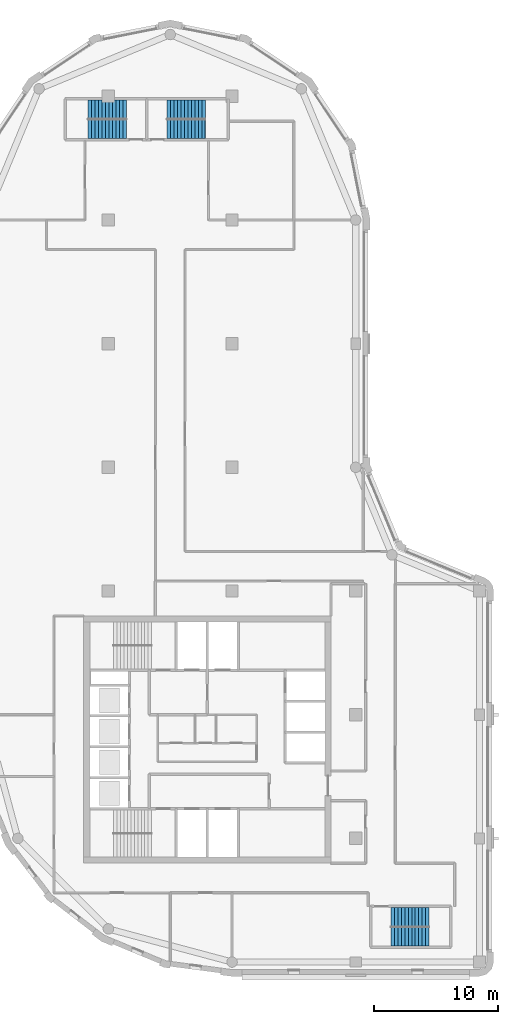
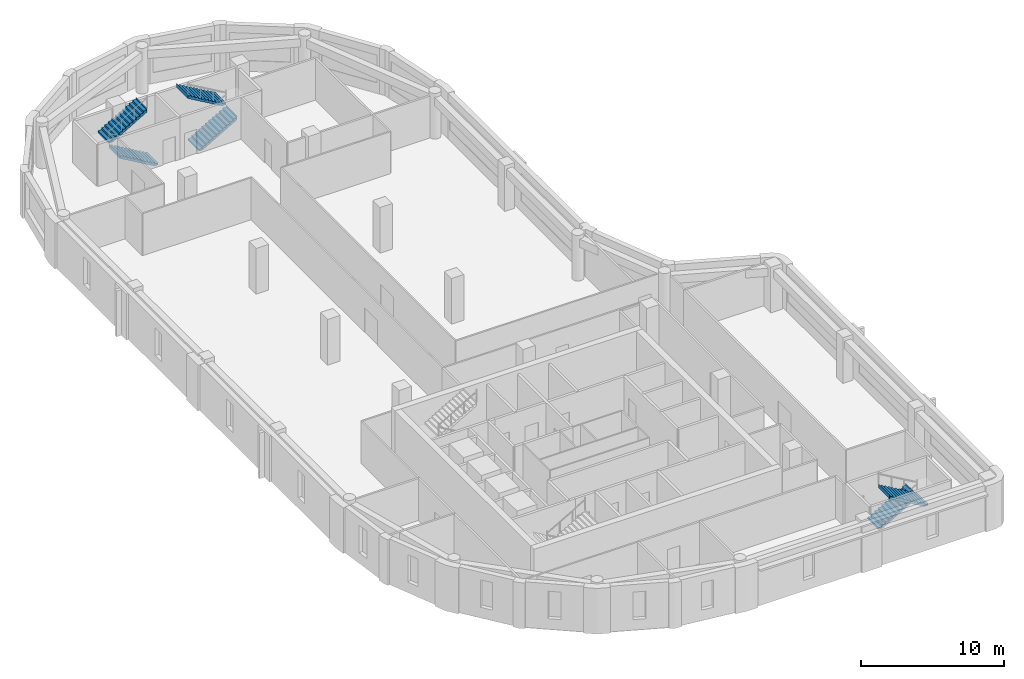
# One storey, part 6 of 8: 6 stair flights, 3 elements without a shape of their own.
"""IFC4 building model written with IfcOpenShell, lengths in metres."""

from ifc_helpers import new_model, si_unit, direction, frame, origin, place, context, subcontext, project, spatial, polyline, outline, extrude, material, type_object, element, aggregate, save


model = new_model("IFC4")

# Units and contexts
model_context = context("Model", 3, precision=1e-05, world=origin(), true_north=direction((0.0, 1.0)))
body_context = subcontext(model_context, "Body", "Model", "MODEL_VIEW")
ifc_project = project(units=[si_unit("LENGTHUNIT", "METRE"), si_unit("AREAUNIT", "SQUARE_METRE"), si_unit("VOLUMEUNIT", "CUBIC_METRE"), si_unit("PLANEANGLEUNIT", "RADIAN"), si_unit("MASSUNIT", "GRAM", prefix="KILO")], contexts=[model_context])

# Site, building, storey
site_placement = place(None, origin())
site = spatial("IfcSite", under=ifc_project, at=site_placement, CompositionType="ELEMENT")
building_placement = place(site_placement, origin())
building = spatial("IfcBuilding", under=site, at=building_placement, Name="Qaws Garden Tower", CompositionType="ELEMENT")
storey_placement = place(building_placement, frame((0.0, 0.0, 286.5)))
storey = spatial("IfcBuildingStorey", under=building, at=storey_placement, Name="L69", CompositionType="ELEMENT", Elevation=286.5)

# Stair, stair flights
ifc_material_1 = material(Name="Concrete C40", Category="concrete")
stair_type = type_object("IfcStairType", Name="Exit stair 1350", PredefinedType="HALF_TURN_STAIR", material=ifc_material_1)
placement = place(storey_placement, origin())
stair_1 = element("IfcStair", 1, at=placement, inside=storey, type_object=stair_type, Name="Stair 5", PredefinedType="HALF_TURN_STAIR")
ifc_material_2 = material(Name="Concrete C40", Category="concrete")
stair_flight_type = type_object("IfcStairFlightType", Name="Stair flight 1350", PredefinedType="STRAIGHT", material=ifc_material_2)
stair_flight_1_placement = place(storey_placement, frame((32.85009765625, 3.625, 0.0), z_axis=(0.0, 0.0, 1.0), x_axis=(1.0, 0.0, 0.0)))
stair_flight_1 = element("IfcStairFlight", 2, at=stair_flight_1_placement, type_object=stair_flight_type, Name="ST5 flight 1", NumberOfRisers=12, NumberOfTreads=11, PredefinedType="STRAIGHT", RiserHeight=0.1625, TreadLength=0.28, context=body_context, shape_type="SweptSolid", body=[
    extrude(outline(polyline([(-0.0029296875, 0.0), (-0.0029296875, 0.16259765625), (0.0, 0.16259765625), (0.280029296875, 0.16259765625), (0.280029296875, 0.324951171875), (0.56005859375, 0.324951171875), (0.56005859375, 0.487548828125), (0.840087890625, 0.487548828125), (0.840087890625, 0.64990234375), (1.1201171875, 0.64990234375), (1.1201171875, 0.8125), (1.39990234375, 0.8125), (1.39990234375, 0.97509765625), (1.679931640625, 0.97509765625), (1.679931640625, 1.137451171875), (1.9599609375, 1.137451171875), (1.9599609375, 1.300048828125), (2.239990234375, 1.300048828125), (2.239990234375, 1.46240234375), (2.52001953125, 1.46240234375), (2.52001953125, 1.625), (2.800048828125, 1.625), (2.800048828125, 1.78759765625), (3.080078125, 1.78759765625), (3.080078125, 1.949951171875), (3.0830078125, 1.949951171875), (3.0830078125, 1.6142578125), (3.080078125, 1.6142578125), (0.298583984375, 0.0), (-0.0029296875, 0.0)])), frame((0.0, 0.77490234375, 0.0), z_axis=(0.0, -1.0, 0.0), x_axis=(1.0, 0.0, 0.0)), (0.0, 0.0, 1.0), 1.550048828125),
])
stair_flight_2_placement = place(storey_placement, frame((35.929931640625, 2.074951171875, 1.949951171875), z_axis=(0.0, 0.0, 1.0), x_axis=(-1.0, 0.0, 0.0)))
stair_flight_2 = element("IfcStairFlight", 3, at=stair_flight_2_placement, type_object=stair_flight_type, Name="ST5 flight 2", NumberOfRisers=12, NumberOfTreads=11, PredefinedType="STRAIGHT", RiserHeight=0.1625, TreadLength=0.28, context=body_context, shape_type="SweptSolid", body=[
    extrude(outline(polyline([(-0.0029296875, 0.0), (-0.0029296875, 0.16259765625), (0.0, 0.16259765625), (0.280029296875, 0.16259765625), (0.280029296875, 0.324951171875), (0.56005859375, 0.324951171875), (0.56005859375, 0.487548828125), (0.840087890625, 0.487548828125), (0.840087890625, 0.64990234375), (1.1201171875, 0.64990234375), (1.1201171875, 0.8125), (1.39990234375, 0.8125), (1.39990234375, 0.97509765625), (1.679931640625, 0.97509765625), (1.679931640625, 1.137451171875), (1.9599609375, 1.137451171875), (1.9599609375, 1.300048828125), (2.239990234375, 1.300048828125), (2.239990234375, 1.46240234375), (2.52001953125, 1.46240234375), (2.52001953125, 1.625), (2.800048828125, 1.625), (2.800048828125, 1.78759765625), (3.080078125, 1.78759765625), (3.080078125, 1.949951171875), (3.0830078125, 1.949951171875), (3.0830078125, 1.6142578125), (3.080078125, 1.6142578125), (0.298583984375, 0.0), (-0.0029296875, 0.0)])), frame((0.0, 0.77490234375, 0.0), z_axis=(0.0, -1.0, 0.0), x_axis=(1.0, 0.0, 0.0)), (0.0, 0.0, 1.0), 1.550048828125),
])
aggregate(stair_1, [stair_flight_1, stair_flight_2])

stair_2 = element("IfcStair", 4, at=placement, inside=storey, type_object=stair_type, Name="Stair 6", PredefinedType="HALF_TURN_STAIR")
stair_flight_3_placement = place(storey_placement, frame((11.449951171875, 67.375, 0.0), z_axis=(0.0, 0.0, 1.0), x_axis=(-1.0, 0.0, 0.0)))
stair_flight_3 = element("IfcStairFlight", 5, at=stair_flight_3_placement, type_object=stair_flight_type, Name="ST6 flight 1", NumberOfRisers=12, NumberOfTreads=11, PredefinedType="STRAIGHT", RiserHeight=0.1625, TreadLength=0.28, context=body_context, shape_type="SweptSolid", body=[
    extrude(outline(polyline([(-0.0029296875, 0.0), (-0.0029296875, 0.16259765625), (0.0, 0.16259765625), (0.280029296875, 0.16259765625), (0.280029296875, 0.324951171875), (0.56005859375, 0.324951171875), (0.56005859375, 0.487548828125), (0.840087890625, 0.487548828125), (0.840087890625, 0.64990234375), (1.1201171875, 0.64990234375), (1.1201171875, 0.8125), (1.39990234375, 0.8125), (1.39990234375, 0.97509765625), (1.679931640625, 0.97509765625), (1.679931640625, 1.137451171875), (1.9599609375, 1.137451171875), (1.9599609375, 1.300048828125), (2.239990234375, 1.300048828125), (2.239990234375, 1.46240234375), (2.52001953125, 1.46240234375), (2.52001953125, 1.625), (2.800048828125, 1.625), (2.800048828125, 1.78759765625), (3.080078125, 1.78759765625), (3.080078125, 1.949951171875), (3.0830078125, 1.949951171875), (3.0830078125, 1.6142578125), (3.080078125, 1.6142578125), (0.298583984375, 0.0), (-0.0029296875, 0.0)])), frame((0.0, 0.77490234375, 0.0), z_axis=(0.0, -1.0, 0.0), x_axis=(1.0, 0.0, 0.0)), (0.0, 0.0, 1.0), 1.550048828125),
])
stair_flight_4_placement = place(storey_placement, frame((8.3701171875, 68.925048828125, 1.949951171875), z_axis=(0.0, 0.0, 1.0), x_axis=(1.0, 0.0, 0.0)))
stair_flight_4 = element("IfcStairFlight", 6, at=stair_flight_4_placement, type_object=stair_flight_type, Name="ST6 flight 2", NumberOfRisers=12, NumberOfTreads=11, PredefinedType="STRAIGHT", RiserHeight=0.1625, TreadLength=0.28, context=body_context, shape_type="SweptSolid", body=[
    extrude(outline(polyline([(-0.0029296875, 0.0), (-0.0029296875, 0.16259765625), (0.0, 0.16259765625), (0.280029296875, 0.16259765625), (0.280029296875, 0.324951171875), (0.56005859375, 0.324951171875), (0.56005859375, 0.487548828125), (0.840087890625, 0.487548828125), (0.840087890625, 0.64990234375), (1.1201171875, 0.64990234375), (1.1201171875, 0.8125), (1.39990234375, 0.8125), (1.39990234375, 0.97509765625), (1.679931640625, 0.97509765625), (1.679931640625, 1.137451171875), (1.9599609375, 1.137451171875), (1.9599609375, 1.300048828125), (2.239990234375, 1.300048828125), (2.239990234375, 1.46240234375), (2.52001953125, 1.46240234375), (2.52001953125, 1.625), (2.800048828125, 1.625), (2.800048828125, 1.78759765625), (3.080078125, 1.78759765625), (3.080078125, 1.949951171875), (3.0830078125, 1.949951171875), (3.0830078125, 1.6142578125), (3.080078125, 1.6142578125), (0.298583984375, 0.0), (-0.0029296875, 0.0)])), frame((0.0, 0.77490234375, 0.0), z_axis=(0.0, -1.0, 0.0), x_axis=(1.0, 0.0, 0.0)), (0.0, 0.0, 1.0), 1.550048828125),
])
aggregate(stair_2, [stair_flight_3, stair_flight_4])

stair_3 = element("IfcStair", 7, at=placement, inside=storey, type_object=stair_type, Name="Stair 7", PredefinedType="HALF_TURN_STAIR")
stair_flight_5_placement = place(storey_placement, frame((14.75, 67.375, 0.0), z_axis=(0.0, 0.0, 1.0), x_axis=(1.0, 0.0, 0.0)))
stair_flight_5 = element("IfcStairFlight", 8, at=stair_flight_5_placement, type_object=stair_flight_type, Name="ST7 flight 1", NumberOfRisers=12, NumberOfTreads=11, PredefinedType="STRAIGHT", RiserHeight=0.1625, TreadLength=0.28, context=body_context, shape_type="SweptSolid", body=[
    extrude(outline(polyline([(-0.0029296875, 0.0), (-0.0029296875, 0.16259765625), (0.0, 0.16259765625), (0.280029296875, 0.16259765625), (0.280029296875, 0.324951171875), (0.56005859375, 0.324951171875), (0.56005859375, 0.487548828125), (0.840087890625, 0.487548828125), (0.840087890625, 0.64990234375), (1.1201171875, 0.64990234375), (1.1201171875, 0.8125), (1.39990234375, 0.8125), (1.39990234375, 0.97509765625), (1.679931640625, 0.97509765625), (1.679931640625, 1.137451171875), (1.9599609375, 1.137451171875), (1.9599609375, 1.300048828125), (2.239990234375, 1.300048828125), (2.239990234375, 1.46240234375), (2.52001953125, 1.46240234375), (2.52001953125, 1.625), (2.800048828125, 1.625), (2.800048828125, 1.78759765625), (3.080078125, 1.78759765625), (3.080078125, 1.949951171875), (3.0830078125, 1.949951171875), (3.0830078125, 1.6142578125), (3.080078125, 1.6142578125), (0.298583984375, 0.0), (-0.0029296875, 0.0)])), frame((0.0, 0.77490234375, 0.0), z_axis=(0.0, -1.0, 0.0), x_axis=(1.0, 0.0, 0.0)), (0.0, 0.0, 1.0), 1.550048828125),
])
stair_flight_6_placement = place(storey_placement, frame((17.830078125, 68.925048828125, 1.949951171875), z_axis=(0.0, 0.0, 1.0), x_axis=(-1.0, 0.0, 0.0)))
stair_flight_6 = element("IfcStairFlight", 9, at=stair_flight_6_placement, type_object=stair_flight_type, Name="ST7 flight 2", NumberOfRisers=12, NumberOfTreads=11, PredefinedType="STRAIGHT", RiserHeight=0.1625, TreadLength=0.28, context=body_context, shape_type="SweptSolid", body=[
    extrude(outline(polyline([(-0.0029296875, 0.0), (-0.0029296875, 0.16259765625), (0.0, 0.16259765625), (0.280029296875, 0.16259765625), (0.280029296875, 0.324951171875), (0.56005859375, 0.324951171875), (0.56005859375, 0.487548828125), (0.840087890625, 0.487548828125), (0.840087890625, 0.64990234375), (1.1201171875, 0.64990234375), (1.1201171875, 0.8125), (1.39990234375, 0.8125), (1.39990234375, 0.97509765625), (1.679931640625, 0.97509765625), (1.679931640625, 1.137451171875), (1.9599609375, 1.137451171875), (1.9599609375, 1.300048828125), (2.239990234375, 1.300048828125), (2.239990234375, 1.46240234375), (2.52001953125, 1.46240234375), (2.52001953125, 1.625), (2.800048828125, 1.625), (2.800048828125, 1.78759765625), (3.080078125, 1.78759765625), (3.080078125, 1.949951171875), (3.0830078125, 1.949951171875), (3.0830078125, 1.6142578125), (3.080078125, 1.6142578125), (0.298583984375, 0.0), (-0.0029296875, 0.0)])), frame((0.0, 0.77490234375, 0.0), z_axis=(0.0, -1.0, 0.0), x_axis=(1.0, 0.0, 0.0)), (0.0, 0.0, 1.0), 1.550048828125),
])
aggregate(stair_3, [stair_flight_5, stair_flight_6])

save(model, "model.ifc")
